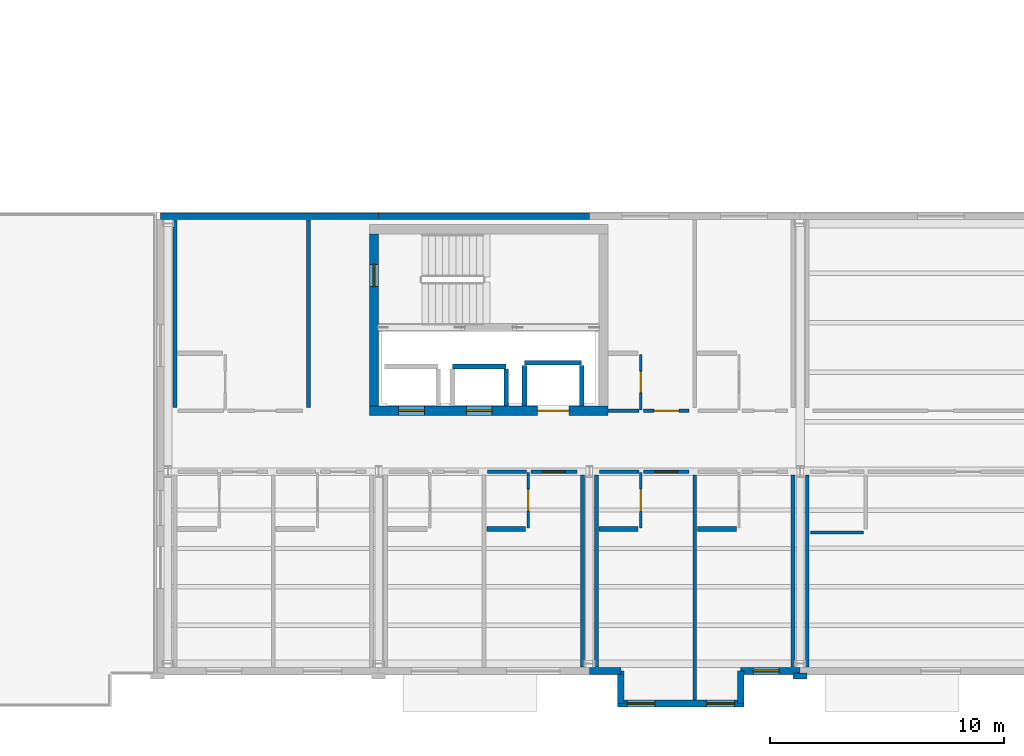
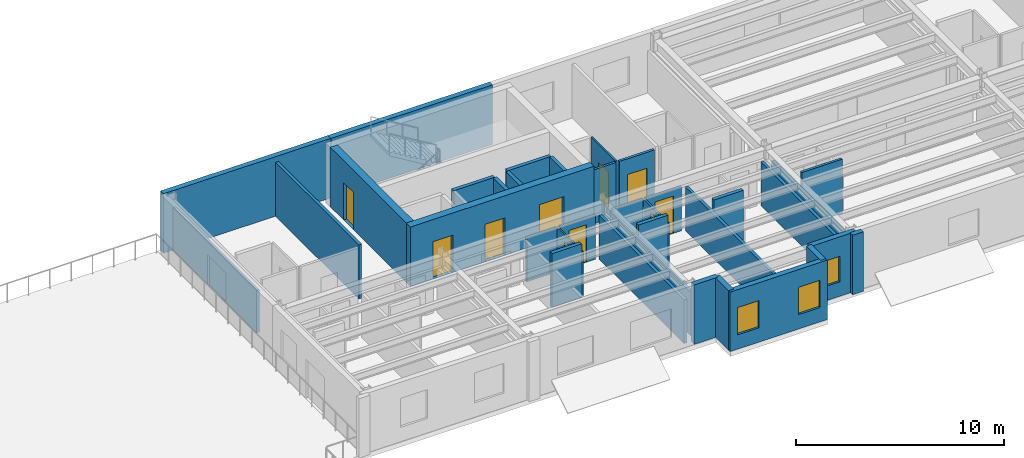
# One storey, part 6 of 17: 35 walls, 10 doors, 3 windows, 13 openings.
"""IFC4 building model written with IfcOpenShell, lengths in metres."""

from ifc_helpers import new_model, si_unit, direction, frame, frame_2d, origin, place, context, subcontext, project, spatial, rectangle, extrude, material, layer, layer_set, type_object, element, fill, save


model = new_model("IFC4")

# Units and contexts
model_context = context("Model", 3, precision=1e-05, world=origin(), true_north=direction((0.0, 1.0)))
body_context = subcontext(model_context, "Body", "Model", "MODEL_VIEW")
ifc_project = project(units=[si_unit("LENGTHUNIT", "METRE"), si_unit("AREAUNIT", "SQUARE_METRE"), si_unit("VOLUMEUNIT", "CUBIC_METRE"), si_unit("PLANEANGLEUNIT", "RADIAN"), si_unit("MASSUNIT", "GRAM", prefix="KILO")], contexts=[model_context])

# Site, building, storey
site_placement = place(None, origin())
site = spatial("IfcSite", under=ifc_project, at=site_placement, CompositionType="ELEMENT")
building_placement = place(site_placement, origin())
building = spatial("IfcBuilding", under=site, at=building_placement, Name="Sollismere Congress Hotel", CompositionType="ELEMENT")
storey_placement = place(building_placement, frame((0.0, 0.0, 41.10009765625)))
storey = spatial("IfcBuildingStorey", under=building, at=storey_placement, Name="L10", CompositionType="ELEMENT", Elevation=41.10009765625)

# Wall
ifc_material_1 = material(Name="Colorado Buff Sandstone Rainscreen on Insulated Backup", Category="masonry")
ifc_layer_1 = layer(ifc_material_1, 0.284912109375, Name="Colorado Buff Sandstone Rainscreen on Insulated Backup")
ifc_layer_set_1 = layer_set([ifc_layer_1], Name="Colorado Buff Sandstone Rainscreen on Insulated Backup")
wall_type_1 = type_object("IfcWallType", Name="WL-EXT285", PredefinedType="STANDARD", material=ifc_layer_set_1)
wall_1_placement = place(storey_placement, frame((103.0, -0.31005859375, 0.0), z_axis=(0.0, 0.0, 1.0), x_axis=(1.0, 0.0, 0.0)))
element("IfcWall", 1, at=wall_1_placement, inside=storey, type_object=wall_type_1, Name="Exterior wall EW-L10-945", PredefinedType="STANDARD", context=body_context, shape_type="SweptSolid", body=[
    extrude(rectangle(XDim=1.340087890625, YDim=0.284912109375, at=frame_2d((0.669921875, 0.0))), origin(), (0.0, 0.0, 1.0), 3.5),
])

# Wall, opening, window
wall_2_placement = place(storey_placement, frame((109.4599609375, -0.31005859375, 0.0), z_axis=(0.0, 0.0, 1.0), x_axis=(1.0, 0.0, 0.0)))
wall_2 = element("IfcWall", 2, at=wall_2_placement, inside=storey, type_object=wall_type_1, Name="Exterior wall EW-L10-946", PredefinedType="STANDARD", context=body_context, shape_type="SweptSolid", body=[
    extrude(rectangle(XDim=2.5400390625, YDim=0.284912109375, at=frame_2d((1.27001953125, 0.0))), origin(), (0.0, 0.0, 1.0), 3.5),
])
opening_1_placement = place(wall_2_placement, frame((0.544921875, 0.0, 0.85009765625)))
opening_1 = element("IfcOpeningElement", 3, at=opening_1_placement, cuts=wall_2, Name="Opening W-L10-678", PredefinedType="OPENING", context=body_context, shape_type="SweptSolid", body=[
    extrude(rectangle(XDim=1.10009765625, YDim=1.5, at=frame_2d((0.550048828125, 0.75))), frame((0.0, 0.15234375, 0.0), z_axis=(0.0, -1.0, 0.0), x_axis=(1.0, 0.0, 0.0)), (0.0, 0.0, 1.0), 0.304931640625),
])
ifc_material_2 = material(Name="Thermally Broken Bronze Aluminum & Low-E Glass", Category="aluminium")
window_type_1 = type_object("IfcWindowType", Name="WN-P110x150", PartitioningType="SINGLE_PANEL", PredefinedType="WINDOW", material=ifc_material_2)
window_1_placement = place(opening_1_placement, origin())
window_1 = element("IfcWindow", 4, at=window_1_placement, inside=storey, type_object=window_type_1, Name="WIN-W-L10-678", OverallHeight=1.5, OverallWidth=1.10009765625, PartitioningType="SINGLE_PANEL", PredefinedType="WINDOW", context=body_context, shape_type="SweptSolid", body=[
    extrude(rectangle(XDim=1.10009765625, YDim=1.5, at=frame_2d((0.550048828125, 0.75))), frame((0.0, 0.030029296875, 0.0), z_axis=(0.0, -1.0, 0.0), x_axis=(1.0, 0.0, 0.0)), (0.0, 0.0, 1.0), 0.06005859375),
])
fill(opening_1, window_1)

# Wall, openings, windows
wall_3_placement = place(storey_placement, frame((104.199951171875, -1.699951171875, 0.0), z_axis=(0.0, 0.0, 1.0), x_axis=(1.0, 0.0, 0.0)))
wall_3 = element("IfcWall", 5, at=wall_3_placement, inside=storey, type_object=wall_type_1, Name="Exterior wall EW-L10-947", PredefinedType="STANDARD", context=body_context, shape_type="SweptSolid", body=[
    extrude(rectangle(XDim=5.400146484375, YDim=0.284912109375, at=frame_2d((2.7001953125, 0.0))), origin(), (0.0, 0.0, 1.0), 3.5),
])
opening_2_placement = place(wall_3_placement, frame((0.39990234375, 0.0, 0.85009765625)))
opening_2 = element("IfcOpeningElement", 6, at=opening_2_placement, cuts=wall_3, Name="Opening W-L10-679", PredefinedType="OPENING", context=body_context, shape_type="SweptSolid", body=[
    extrude(rectangle(XDim=1.199951171875, YDim=1.60009765625, at=frame_2d((0.60009765625, 0.800048828125))), frame((0.0, 0.15234375, 0.0), z_axis=(0.0, -1.0, 0.0), x_axis=(1.0, 0.0, 0.0)), (0.0, 0.0, 1.0), 0.304931640625),
])
opening_3_placement = place(wall_3_placement, frame((3.800048828125, 0.0, 0.85009765625)))
opening_3 = element("IfcOpeningElement", 7, at=opening_3_placement, cuts=wall_3, Name="Opening W-L10-680", PredefinedType="OPENING", context=body_context, shape_type="SweptSolid", body=[
    extrude(rectangle(XDim=1.199951171875, YDim=1.60009765625, at=frame_2d((0.60009765625, 0.800048828125))), frame((0.0, 0.15234375, 0.0), z_axis=(0.0, -1.0, 0.0), x_axis=(1.0, 0.0, 0.0)), (0.0, 0.0, 1.0), 0.304931640625),
])
window_type_2 = type_object("IfcWindowType", Name="WN-P120x160", PartitioningType="SINGLE_PANEL", PredefinedType="WINDOW", material=ifc_material_2)
window_2_placement = place(opening_2_placement, origin())
window_2 = element("IfcWindow", 8, at=window_2_placement, inside=storey, type_object=window_type_2, Name="WIN-W-L10-679", OverallHeight=1.60009765625, OverallWidth=1.199951171875, PartitioningType="SINGLE_PANEL", PredefinedType="WINDOW", context=body_context, shape_type="SweptSolid", body=[
    extrude(rectangle(XDim=1.199951171875, YDim=1.60009765625, at=frame_2d((0.60009765625, 0.800048828125))), frame((0.0, 0.030029296875, 0.0), z_axis=(0.0, -1.0, 0.0), x_axis=(1.0, 0.0, 0.0)), (0.0, 0.0, 1.0), 0.06005859375),
])
fill(opening_2, window_2)
window_3_placement = place(opening_3_placement, origin())
window_3 = element("IfcWindow", 9, at=window_3_placement, inside=storey, type_object=window_type_2, Name="WIN-W-L10-680", OverallHeight=1.60009765625, OverallWidth=1.199951171875, PartitioningType="SINGLE_PANEL", PredefinedType="WINDOW", context=body_context, shape_type="SweptSolid", body=[
    extrude(rectangle(XDim=1.199951171875, YDim=1.60009765625, at=frame_2d((0.60009765625, 0.800048828125))), frame((0.0, 0.030029296875, 0.0), z_axis=(0.0, -1.0, 0.0), x_axis=(1.0, 0.0, 0.0)), (0.0, 0.0, 1.0), 0.06005859375),
])
fill(opening_3, window_3)

# Walls
for number, where, z_axis, x_axis, name in (
    (10, (104.340087890625, -0.31005859375, 0.0), (0.0, 0.0, 1.0), (0.0, -1.0, 0.0), "Exterior wall EW-L10-948"),
    (11, (109.4599609375, -1.699951171875, 0.0), (0.0, 0.0, 1.0), (0.0, 1.0, 0.0), "Exterior wall EW-L10-949"),
):
    element("IfcWall", number, at=place(storey_placement, frame(where, z_axis=z_axis, x_axis=x_axis)), inside=storey, type_object=wall_type_1, Name=name, PredefinedType="STANDARD", context=body_context, shape_type="SweptSolid", body=[
        extrude(rectangle(XDim=1.389892578125, YDim=0.284912109375, at=frame_2d((0.69482421875, 0.0))), origin(), (0.0, 0.0, 1.0), 3.5),
    ])
wall_4_placement = place(storey_placement, frame((94.0, 19.110107421875, 0.0), z_axis=(0.0, 0.0, 1.0), x_axis=(-1.0, 0.0, 0.0)))
element("IfcWall", 12, at=wall_4_placement, inside=storey, type_object=wall_type_1, Name="Exterior wall EW-L10-984", PredefinedType="STANDARD", context=body_context, shape_type="SweptSolid", body=[
    extrude(rectangle(XDim=9.31005859375, YDim=0.284912109375, at=frame_2d((4.655029296875, 0.0))), origin(), (0.0, 0.0, 1.0), 3.5),
])
wall_5_placement = place(storey_placement, frame((103.0, 19.110107421875, 0.0), z_axis=(0.0, 0.0, 1.0), x_axis=(-1.0, 0.0, 0.0)))
element("IfcWall", 13, at=wall_5_placement, inside=storey, type_object=wall_type_1, Name="Exterior wall EW-L10-985", PredefinedType="STANDARD", context=body_context, shape_type="SweptSolid", body=[
    extrude(rectangle(XDim=9.0, YDim=0.284912109375, at=frame_2d((4.5, 0.0))), origin(), (0.0, 0.0, 1.0), 3.5),
])
ifc_material_3 = material(Name="Carved Travertine Pilaster & Frieze Assembly", Category="masonry")
ifc_layer_2 = layer(ifc_material_3, 0.260009765625, Name="Carved Travertine Pilaster & Frieze Assembly")
ifc_layer_set_2 = layer_set([ifc_layer_2], Name="Carved Travertine Pilaster & Frieze Assembly")
wall_type_2 = type_object("IfcWallType", Name="WL-PIL280", PredefinedType="ELEMENTEDWALL", material=ifc_layer_set_2)
wall_6_placement = place(storey_placement, frame((111.699951171875, -0.52001953125, 0.0), z_axis=(0.0, 0.0, 1.0), x_axis=(1.0, 0.0, 0.0)))
element("IfcWall", 14, at=wall_6_placement, inside=storey, type_object=wall_type_2, Name="Exterior wall EW-L10-951", PredefinedType="ELEMENTEDWALL", context=body_context, shape_type="SweptSolid", body=[
    extrude(rectangle(XDim=0.60009765625, YDim=0.260009765625, at=frame_2d((0.300048828125, 0.0))), origin(), (0.0, 0.0, 1.0), 3.5),
])
ifc_material_4 = material(Name="Moisture-Resistant Shaft Gypsum Assembly")
ifc_layer_3 = layer(ifc_material_4, 0.199951171875, Name="Moisture-Resistant Shaft Gypsum Assembly")
ifc_layer_set_3 = layer_set([ifc_layer_3], Name="Moisture-Resistant Shaft Gypsum Assembly")
wall_type_3 = type_object("IfcWallType", Name="WL-PLM200", PredefinedType="PLUMBINGWALL", material=ifc_layer_set_3)
wall_7_placement = place(storey_placement, frame((97.155029296875, 12.68994140625, 0.0), z_axis=(0.0, 0.0, 1.0), x_axis=(1.0, 0.0, 0.0)))
element("IfcWall", 15, at=wall_7_placement, inside=storey, type_object=wall_type_3, Name="Interior wall IW-L10-0359", PredefinedType="PLUMBINGWALL", context=body_context, shape_type="SweptSolid", body=[
    extrude(rectangle(XDim=2.2900390625, YDim=0.199951171875, at=frame_2d((1.14501953125, 0.0))), origin(), (0.0, 0.0, 1.0), 3.179931640625),
])
wall_8_placement = place(storey_placement, frame((99.445068359375, 11.011962890625, 0.0), z_axis=(0.0, 0.0, 1.0), x_axis=(0.0, 1.0, 0.0)))
element("IfcWall", 16, at=wall_8_placement, inside=storey, type_object=wall_type_3, Name="Interior wall IW-L10-0361", PredefinedType="PLUMBINGWALL", context=body_context, shape_type="SweptSolid", body=[
    extrude(rectangle(XDim=1.56591796875, YDim=0.199951171875, at=frame_2d((0.782958984375, 0.0))), origin(), (0.0, 0.0, 1.0), 3.179931640625),
])
wall_9_placement = place(storey_placement, frame((100.22998046875, 12.844970703125, 0.0), z_axis=(0.0, 0.0, 1.0), x_axis=(1.0, 0.0, 0.0)))
element("IfcWall", 17, at=wall_9_placement, inside=storey, type_object=wall_type_3, Name="Interior wall IW-L10-0362", PredefinedType="PLUMBINGWALL", context=body_context, shape_type="SweptSolid", body=[
    extrude(rectangle(XDim=2.43994140625, YDim=0.199951171875, at=frame_2d((1.219970703125, 0.0))), origin(), (0.0, 0.0, 1.0), 3.179931640625),
])
for number, where, z_axis, x_axis, name in (
    (18, (100.22998046875, 11.011962890625, 0.0), (0.0, 0.0, 1.0), (0.0, 1.0, 0.0), "Interior wall IW-L10-0363"),
    (19, (102.669921875, 11.011962890625, 0.0), (0.0, 0.0, 1.0), (0.0, 1.0, 0.0), "Interior wall IW-L10-0364"),
):
    element("IfcWall", number, at=place(storey_placement, frame(where, z_axis=z_axis, x_axis=x_axis)), inside=storey, type_object=wall_type_3, Name=name, PredefinedType="PLUMBINGWALL", context=body_context, shape_type="SweptSolid", body=[
        extrude(rectangle(XDim=1.720947265625, YDim=0.199951171875, at=frame_2d((0.8603515625, 0.0))), origin(), (0.0, 0.0, 1.0), 3.179931640625),
    ])
wall_10_placement = place(storey_placement, frame((98.6201171875, 5.75, 0.0), z_axis=(0.0, 0.0, 1.0), x_axis=(1.0, 0.0, 0.0)))
element("IfcWall", 20, at=wall_10_placement, inside=storey, type_object=wall_type_3, Name="Interior wall IW-L10-2756", PredefinedType="PLUMBINGWALL", context=body_context, shape_type="SweptSolid", body=[
    extrude(rectangle(XDim=1.64990234375, YDim=0.199951171875, at=frame_2d((0.824951171875, 0.0))), origin(), (0.0, 0.0, 1.0), 3.179931640625),
])
wall_11_placement = place(storey_placement, frame((103.419921875, 5.75, 0.0), z_axis=(0.0, 0.0, 1.0), x_axis=(1.0, 0.0, 0.0)))
element("IfcWall", 21, at=wall_11_placement, inside=storey, type_object=wall_type_3, Name="Interior wall IW-L10-2762", PredefinedType="PLUMBINGWALL", context=body_context, shape_type="SweptSolid", body=[
    extrude(rectangle(XDim=1.650146484375, YDim=0.199951171875, at=frame_2d((0.8251953125, 0.0))), origin(), (0.0, 0.0, 1.0), 3.179931640625),
])
wall_12_placement = place(storey_placement, frame((107.6201171875, 5.75, 0.0), z_axis=(0.0, 0.0, 1.0), x_axis=(1.0, 0.0, 0.0)))
element("IfcWall", 22, at=wall_12_placement, inside=storey, type_object=wall_type_3, Name="Interior wall IW-L10-2767", PredefinedType="PLUMBINGWALL", context=body_context, shape_type="SweptSolid", body=[
    extrude(rectangle(XDim=1.64990234375, YDim=0.199951171875, at=frame_2d((0.824951171875, 0.0))), origin(), (0.0, 0.0, 1.0), 3.179931640625),
])

# Wall, opening, door
ifc_material_5 = material(Name="Moisture-Resistant Gypsum Partition")
ifc_layer_4 = layer(ifc_material_5, 0.10009765625, Name="Moisture-Resistant Gypsum Partition")
ifc_layer_set_4 = layer_set([ifc_layer_4], Name="Moisture-Resistant Gypsum Partition")
wall_type_4 = type_object("IfcWallType", Name="WL-PRT100", PredefinedType="PARTITIONING", material=ifc_layer_set_4)
wall_13_placement = place(storey_placement, frame((100.389892578125, 5.7900390625, 0.0), z_axis=(0.0, 0.0, 1.0), x_axis=(0.0, 1.0, 0.0)))
wall_13 = element("IfcWall", 23, at=wall_13_placement, inside=storey, type_object=wall_type_4, Name="Interior wall IW-L10-2755", PredefinedType="PARTITIONING", context=body_context, shape_type="SweptSolid", body=[
    extrude(rectangle(XDim=2.369873046875, YDim=0.10009765625, at=frame_2d((1.18505859375, 0.0))), origin(), (0.0, 0.0, 1.0), 2.593017578125),
])
opening_4_placement = place(wall_13_placement, frame((0.719970703125, 0.0, 0.0)))
opening_4 = element("IfcOpeningElement", 24, at=opening_4_placement, cuts=wall_13, Name="Opening D-L10-0973", PredefinedType="OPENING", context=body_context, shape_type="SweptSolid", body=[
    extrude(rectangle(XDim=0.929931640625, YDim=2.219970703125, at=frame_2d((0.46484375, 1.10986328125))), frame((0.0, 0.06005859375, 0.0), z_axis=(0.0, -1.0, 0.0), x_axis=(1.0, 0.0, 0.0)), (0.0, 0.0, 1.0), 0.1201171875),
])
ifc_material_6 = material(Name="Moisture-Sealed Timber Bathroom Door", Category="wood")
door_type_1 = type_object("IfcDoorType", Name="DR-BT07", OperationType="NOTDEFINED", PredefinedType="DOOR", material=ifc_material_6)
door_1_placement = place(opening_4_placement, origin())
door_1 = element("IfcDoor", 25, at=door_1_placement, inside=storey, type_object=door_type_1, Name="En-suite bathroom door D-L10-0973", OperationType="SINGLE_SWING_RIGHT", OverallHeight=2.219970703125, OverallWidth=0.929931640625, PredefinedType="DOOR", context=body_context, shape_type="SweptSolid", body=[
    extrude(rectangle(XDim=0.929931640625, YDim=2.219970703125, at=frame_2d((0.46484375, 1.10986328125))), frame((0.0, 0.02490234375, 0.0), z_axis=(0.0, -1.0, 0.0), x_axis=(1.0, 0.0, 0.0)), (0.0, 0.0, 1.0), 0.050048828125),
])
fill(opening_4, door_1)

wall_14_placement = place(storey_placement, frame((105.18994140625, 5.7900390625, 0.0), z_axis=(0.0, 0.0, 1.0), x_axis=(0.0, 1.0, 0.0)))
wall_14 = element("IfcWall", 26, at=wall_14_placement, inside=storey, type_object=wall_type_4, Name="Interior wall IW-L10-2761", PredefinedType="PARTITIONING", context=body_context, shape_type="SweptSolid", body=[
    extrude(rectangle(XDim=2.369873046875, YDim=0.10009765625, at=frame_2d((1.18505859375, 0.0))), origin(), (0.0, 0.0, 1.0), 2.593017578125),
])
opening_5_placement = place(wall_14_placement, frame((0.7080078125, 0.0, 0.0)))
opening_5 = element("IfcOpeningElement", 27, at=opening_5_placement, cuts=wall_14, Name="Opening D-L10-0975", PredefinedType="OPENING", context=body_context, shape_type="SweptSolid", body=[
    extrude(rectangle(XDim=0.955078125, YDim=2.219970703125, at=frame_2d((0.4775390625, 1.10986328125))), frame((0.0, 0.06005859375, 0.0), z_axis=(0.0, -1.0, 0.0), x_axis=(1.0, 0.0, 0.0)), (0.0, 0.0, 1.0), 0.1201171875),
])
door_type_2 = type_object("IfcDoorType", Name="DR-BT08", OperationType="NOTDEFINED", PredefinedType="DOOR", material=ifc_material_6)
door_2_placement = place(opening_5_placement, origin())
door_2 = element("IfcDoor", 28, at=door_2_placement, inside=storey, type_object=door_type_2, Name="En-suite bathroom door D-L10-0975", OperationType="SINGLE_SWING_RIGHT", OverallHeight=2.219970703125, OverallWidth=0.955078125, PredefinedType="DOOR", context=body_context, shape_type="SweptSolid", body=[
    extrude(rectangle(XDim=0.955078125, YDim=2.219970703125, at=frame_2d((0.4775390625, 1.10986328125))), frame((0.0, 0.02490234375, 0.0), z_axis=(0.0, -1.0, 0.0), x_axis=(1.0, 0.0, 0.0)), (0.0, 0.0, 1.0), 0.050048828125),
])
fill(opening_5, door_2)

wall_15_placement = place(storey_placement, frame((105.18994140625, 10.840087890625, 0.0), z_axis=(0.0, 0.0, 1.0), x_axis=(0.0, 1.0, 0.0)))
wall_15 = element("IfcWall", 29, at=wall_15_placement, inside=storey, type_object=wall_type_4, Name="Interior wall IW-L10-2771", PredefinedType="PARTITIONING", context=body_context, shape_type="SweptSolid", body=[
    extrude(rectangle(XDim=2.369873046875, YDim=0.10009765625, at=frame_2d((1.18505859375, 0.0))), origin(), (0.0, 0.0, 1.0), 3.179931640625),
])
opening_6_placement = place(wall_15_placement, frame((0.73291015625, 0.0, 0.0)))
opening_6 = element("IfcOpeningElement", 30, at=opening_6_placement, cuts=wall_15, Name="Opening D-L10-0979", PredefinedType="OPENING", context=body_context, shape_type="SweptSolid", body=[
    extrude(rectangle(XDim=0.905029296875, YDim=2.10009765625, at=frame_2d((0.45263671875, 1.050048828125))), frame((0.0, 0.06005859375, 0.0), z_axis=(0.0, -1.0, 0.0), x_axis=(1.0, 0.0, 0.0)), (0.0, 0.0, 1.0), 0.1201171875),
])
door_type_3 = type_object("IfcDoorType", Name="DR-BT02", OperationType="NOTDEFINED", PredefinedType="DOOR", material=ifc_material_6)
door_3_placement = place(opening_6_placement, origin())
door_3 = element("IfcDoor", 31, at=door_3_placement, inside=storey, type_object=door_type_3, Name="En-suite bathroom door D-L10-0979", OperationType="SINGLE_SWING_RIGHT", OverallHeight=2.10009765625, OverallWidth=0.905029296875, PredefinedType="DOOR", context=body_context, shape_type="SweptSolid", body=[
    extrude(rectangle(XDim=0.905029296875, YDim=2.10009765625, at=frame_2d((0.45263671875, 1.050048828125))), frame((0.0, 0.02490234375, 0.0), z_axis=(0.0, -1.0, 0.0), x_axis=(1.0, 0.0, 0.0)), (0.0, 0.0, 1.0), 0.050048828125),
])
fill(opening_6, door_3)

# Wall
ifc_material_7 = material(Name="Fire-Rated Gypsum Partition")
ifc_layer_5 = layer(ifc_material_7, 0.139892578125, Name="Fire-Rated Gypsum Partition")
ifc_layer_set_5 = layer_set([ifc_layer_5], Name="Fire-Rated Gypsum Partition")
wall_type_5 = type_object("IfcWallType", Name="WL-PRT140R", PredefinedType="PARTITIONING", material=ifc_layer_set_5)
wall_16_placement = place(storey_placement, frame((98.639892578125, 8.199951171875, 0.0), z_axis=(0.0, 0.0, 1.0), x_axis=(1.0, 0.0, 0.0)))
element("IfcWall", 32, at=wall_16_placement, inside=storey, type_object=wall_type_5, Name="Interior wall IW-L10-2752", PredefinedType="PARTITIONING", context=body_context, shape_type="SweptSolid", body=[
    extrude(rectangle(XDim=1.670166015625, YDim=0.139892578125, at=frame_2d((0.8349609375, 0.0))), origin(), (0.0, 0.0, 1.0), 2.593017578125),
])

# Wall, opening, door
wall_17_placement = place(storey_placement, frame((100.510009765625, 8.199951171875, 0.0), z_axis=(0.0, 0.0, 1.0), x_axis=(1.0, 0.0, 0.0)))
wall_17 = element("IfcWall", 33, at=wall_17_placement, inside=storey, type_object=wall_type_5, Name="Interior wall IW-L10-2753", PredefinedType="PARTITIONING", context=body_context, shape_type="SweptSolid", body=[
    extrude(rectangle(XDim=1.949951171875, YDim=0.139892578125, at=frame_2d((0.97509765625, 0.0))), origin(), (0.0, 0.0, 1.0), 2.593017578125),
])
opening_7_placement = place(wall_17_placement, frame((0.485107421875, 0.0, 0.0)))
opening_7 = element("IfcOpeningElement", 34, at=opening_7_placement, cuts=wall_17, Name="Opening D-L10-0972", PredefinedType="OPENING", context=body_context, shape_type="SweptSolid", body=[
    extrude(rectangle(XDim=0.97998046875, YDim=2.199951171875, at=frame_2d((0.489990234375, 1.10009765625))), frame((0.0, 0.079833984375, 0.0), z_axis=(0.0, -1.0, 0.0), x_axis=(1.0, 0.0, 0.0)), (0.0, 0.0, 1.0), 0.159912109375),
])
ifc_material_8 = material(Name="Solid-Core Acoustic Walnut Guestroom Entry Door")
door_type_4 = type_object("IfcDoorType", Name="DR-KY03", OperationType="NOTDEFINED", PredefinedType="DOOR", material=ifc_material_8)
door_4_placement = place(opening_7_placement, origin())
door_4 = element("IfcDoor", 35, at=door_4_placement, inside=storey, type_object=door_type_4, Name="Hotel room entry door D-L10-0972", OperationType="SINGLE_SWING_LEFT", OverallHeight=2.199951171875, OverallWidth=0.97998046875, PredefinedType="DOOR", context=body_context, shape_type="SweptSolid", body=[
    extrude(rectangle(XDim=0.97998046875, YDim=2.199951171875, at=frame_2d((0.489990234375, 1.10009765625))), frame((0.0, 0.02490234375, 0.0), z_axis=(0.0, -1.0, 0.0), x_axis=(1.0, 0.0, 0.0)), (0.0, 0.0, 1.0), 0.050048828125),
])
fill(opening_7, door_4)

# Wall
wall_18_placement = place(storey_placement, frame((103.43994140625, 8.199951171875, 0.0), z_axis=(0.0, 0.0, 1.0), x_axis=(1.0, 0.0, 0.0)))
element("IfcWall", 36, at=wall_18_placement, inside=storey, type_object=wall_type_5, Name="Interior wall IW-L10-2757", PredefinedType="PARTITIONING", context=body_context, shape_type="SweptSolid", body=[
    extrude(rectangle(XDim=1.670166015625, YDim=0.139892578125, at=frame_2d((0.8349609375, 0.0))), origin(), (0.0, 0.0, 1.0), 2.593017578125),
])

# Wall, opening, door
wall_19_placement = place(storey_placement, frame((105.31005859375, 8.199951171875, 0.0), z_axis=(0.0, 0.0, 1.0), x_axis=(1.0, 0.0, 0.0)))
wall_19 = element("IfcWall", 37, at=wall_19_placement, inside=storey, type_object=wall_type_5, Name="Interior wall IW-L10-2758", PredefinedType="PARTITIONING", context=body_context, shape_type="SweptSolid", body=[
    extrude(rectangle(XDim=1.949951171875, YDim=0.139892578125, at=frame_2d((0.97509765625, 0.0))), origin(), (0.0, 0.0, 1.0), 2.593017578125),
])
opening_8_placement = place(wall_19_placement, frame((0.469970703125, 0.0, 0.0)))
opening_8 = element("IfcOpeningElement", 38, at=opening_8_placement, cuts=wall_19, Name="Opening D-L10-0974", PredefinedType="OPENING", context=body_context, shape_type="SweptSolid", body=[
    extrude(rectangle(XDim=1.010009765625, YDim=2.199951171875, at=frame_2d((0.5048828125, 1.10009765625))), frame((0.0, 0.079833984375, 0.0), z_axis=(0.0, -1.0, 0.0), x_axis=(1.0, 0.0, 0.0)), (0.0, 0.0, 1.0), 0.159912109375),
])
door_type_5 = type_object("IfcDoorType", Name="DR-KY04", OperationType="NOTDEFINED", PredefinedType="DOOR", material=ifc_material_8)
door_5_placement = place(opening_8_placement, origin())
door_5 = element("IfcDoor", 39, at=door_5_placement, inside=storey, type_object=door_type_5, Name="Hotel room entry door D-L10-0974", OperationType="SINGLE_SWING_LEFT", OverallHeight=2.199951171875, OverallWidth=1.010009765625, PredefinedType="DOOR", context=body_context, shape_type="SweptSolid", body=[
    extrude(rectangle(XDim=1.010009765625, YDim=2.199951171875, at=frame_2d((0.5048828125, 1.10009765625))), frame((0.0, 0.02490234375, 0.0), z_axis=(0.0, -1.0, 0.0), x_axis=(1.0, 0.0, 0.0)), (0.0, 0.0, 1.0), 0.050048828125),
])
fill(opening_8, door_5)

# Wall
wall_20_placement = place(storey_placement, frame((103.800048828125, 10.800048828125, 0.0), z_axis=(0.0, 0.0, 1.0), x_axis=(1.0, 0.0, 0.0)))
element("IfcWall", 40, at=wall_20_placement, inside=storey, type_object=wall_type_5, Name="Interior wall IW-L10-2768", PredefinedType="PARTITIONING", context=body_context, shape_type="SweptSolid", body=[
    extrude(rectangle(XDim=1.31005859375, YDim=0.139892578125, at=frame_2d((0.655029296875, 0.0))), origin(), (0.0, 0.0, 1.0), 3.179931640625),
])

# Wall, opening, door
wall_21_placement = place(storey_placement, frame((105.31005859375, 10.800048828125, 0.0), z_axis=(0.0, 0.0, 1.0), x_axis=(1.0, 0.0, 0.0)))
wall_21 = element("IfcWall", 41, at=wall_21_placement, inside=storey, type_object=wall_type_5, Name="Interior wall IW-L10-2769", PredefinedType="PARTITIONING", context=body_context, shape_type="SweptSolid", body=[
    extrude(rectangle(XDim=1.949951171875, YDim=0.139892578125, at=frame_2d((0.97509765625, 0.0))), origin(), (0.0, 0.0, 1.0), 3.179931640625),
])
opening_9_placement = place(wall_21_placement, frame((0.43994140625, 0.0, 0.0)))
opening_9 = element("IfcOpeningElement", 42, at=opening_9_placement, cuts=wall_21, Name="Opening D-L10-0978", PredefinedType="OPENING", context=body_context, shape_type="SweptSolid", body=[
    extrude(rectangle(XDim=1.070068359375, YDim=2.25, at=frame_2d((0.53515625, 1.125))), frame((0.0, 0.079833984375, 0.0), z_axis=(0.0, -1.0, 0.0), x_axis=(1.0, 0.0, 0.0)), (0.0, 0.0, 1.0), 0.159912109375),
])
door_type_6 = type_object("IfcDoorType", Name="DR-KY06", OperationType="NOTDEFINED", PredefinedType="DOOR", material=ifc_material_8)
door_6_placement = place(opening_9_placement, origin())
door_6 = element("IfcDoor", 43, at=door_6_placement, inside=storey, type_object=door_type_6, Name="Hotel room entry door D-L10-0978", OperationType="SINGLE_SWING_LEFT", OverallHeight=2.25, OverallWidth=1.070068359375, PredefinedType="DOOR", context=body_context, shape_type="SweptSolid", body=[
    extrude(rectangle(XDim=1.070068359375, YDim=2.25, at=frame_2d((0.53515625, 1.125))), frame((0.0, 0.02490234375, 0.0), z_axis=(0.0, -1.0, 0.0), x_axis=(1.0, 0.0, 0.0)), (0.0, 0.0, 1.0), 0.050048828125),
])
fill(opening_9, door_6)

# Walls
wall_22_placement = place(storey_placement, frame((112.43994140625, 5.60009765625, 0.0), z_axis=(0.0, 0.0, 1.0), x_axis=(1.0, 0.0, 0.0)))
element("IfcWall", 44, at=wall_22_placement, inside=storey, type_object=wall_type_5, Name="Interior wall IW-L10-2864", PredefinedType="PARTITIONING", context=body_context, shape_type="SweptSolid", body=[
    extrude(rectangle(XDim=2.260009765625, YDim=0.139892578125, at=frame_2d((1.1298828125, 0.0))), origin(), (0.0, 0.0, 1.0), 3.179931640625),
])
ifc_material_9 = material(Name="Fire-Rated Acoustic Gypsum Partition")
ifc_layer_6 = layer(ifc_material_9, 0.1650390625, Name="Fire-Rated Acoustic Gypsum Partition")
ifc_layer_set_6 = layer_set([ifc_layer_6], Name="Fire-Rated Acoustic Gypsum Partition")
wall_type_6 = type_object("IfcWallType", Name="WL-PRT165R", PredefinedType="PARTITIONING", material=ifc_layer_set_6)
wall_23_placement = place(storey_placement, frame((85.300048828125, 10.93994140625, 0.0), z_axis=(0.0, 0.0, 1.0), x_axis=(0.0, 1.0, 0.0)))
element("IfcWall", 45, at=wall_23_placement, inside=storey, type_object=wall_type_6, Name="Interior wall IW-L10-2742", PredefinedType="PARTITIONING", context=body_context, shape_type="SweptSolid", body=[
    extrude(rectangle(XDim=8.012451171875, YDim=0.1650390625, at=frame_2d((4.00634765625, 0.0))), origin(), (0.0, 0.0, 1.0), 2.5087890625),
])
wall_24_placement = place(storey_placement, frame((91.0, 10.93994140625, 0.0), z_axis=(0.0, 0.0, 1.0), x_axis=(0.0, 1.0, 0.0)))
element("IfcWall", 46, at=wall_24_placement, inside=storey, type_object=wall_type_6, Name="Interior wall IW-L10-2743", PredefinedType="PARTITIONING", context=body_context, shape_type="SweptSolid", body=[
    extrude(rectangle(XDim=8.012451171875, YDim=0.1650390625, at=frame_2d((4.00634765625, 0.0))), origin(), (0.0, 0.0, 1.0), 3.179931640625),
])
for number, where, z_axis, x_axis, name in (
    (47, (102.699951171875, -0.152587890625, 0.0), (0.0, 0.0, 1.0), (0.0, 1.0, 0.0), "Interior wall IW-L10-2754"),
    (48, (103.300048828125, -0.152587890625, 0.0), (0.0, 0.0, 1.0), (0.0, 1.0, 0.0), "Interior wall IW-L10-2759"),
):
    element("IfcWall", number, at=place(storey_placement, frame(where, z_axis=z_axis, x_axis=x_axis)), inside=storey, type_object=wall_type_6, Name=name, PredefinedType="PARTITIONING", context=body_context, shape_type="SweptSolid", body=[
        extrude(rectangle(XDim=8.212646484375, YDim=0.1650390625, at=frame_2d((4.1064453125, 0.0))), origin(), (0.0, 0.0, 1.0), 2.56982421875),
    ])
wall_25_placement = place(storey_placement, frame((107.5, -1.54248046875, 0.0), z_axis=(0.0, 0.0, 1.0), x_axis=(0.0, 1.0, 0.0)))
element("IfcWall", 49, at=wall_25_placement, inside=storey, type_object=wall_type_6, Name="Interior wall IW-L10-2760", PredefinedType="PARTITIONING", context=body_context, shape_type="SweptSolid", body=[
    extrude(rectangle(XDim=9.6025390625, YDim=0.1650390625, at=frame_2d((4.80126953125, 0.0))), origin(), (0.0, 0.0, 1.0), 2.56982421875),
])
wall_26_placement = place(storey_placement, frame((111.699951171875, -0.152587890625, 0.0), z_axis=(0.0, 0.0, 1.0), x_axis=(0.0, 1.0, 0.0)))
element("IfcWall", 50, at=wall_26_placement, inside=storey, type_object=wall_type_6, Name="Interior wall IW-L10-2765", PredefinedType="PARTITIONING", context=body_context, shape_type="SweptSolid", body=[
    extrude(rectangle(XDim=8.212646484375, YDim=0.1650390625, at=frame_2d((4.1064453125, 0.0))), origin(), (0.0, 0.0, 1.0), 2.56982421875),
])
wall_27_placement = place(storey_placement, frame((112.300048828125, -0.152587890625, 0.0), z_axis=(0.0, 0.0, 1.0), x_axis=(0.0, 1.0, 0.0)))
element("IfcWall", 51, at=wall_27_placement, inside=storey, type_object=wall_type_6, Name="Interior wall IW-L10-2866", PredefinedType="PARTITIONING", context=body_context, shape_type="SweptSolid", body=[
    extrude(rectangle(XDim=8.212646484375, YDim=0.1650390625, at=frame_2d((4.1064453125, 0.0))), origin(), (0.0, 0.0, 1.0), 2.41796875),
])

# Wall, openings, doors
ifc_material_10 = material(Name="Concrete C50/60", Category="concrete")
ifc_layer_7 = layer(ifc_material_10, 0.39990234375, Name="Concrete C50/60")
ifc_layer_set_7 = layer_set([ifc_layer_7], Name="Concrete C50/60")
wall_type_7 = type_object("IfcWallType", Name="WL-SHR400", PredefinedType="SHEAR", material=ifc_layer_set_7)
wall_28_placement = place(storey_placement, frame((93.60009765625, 10.800048828125, 0.0), z_axis=(0.0, 0.0, 1.0), x_axis=(1.0, 0.0, 0.0)))
wall_28 = element("IfcWall", 52, at=wall_28_placement, inside=storey, type_object=wall_type_7, Name="Interior wall IW-L10-0352", PredefinedType="SHEAR", context=body_context, shape_type="SweptSolid", body=[
    extrude(rectangle(XDim=10.199951171875, YDim=0.39990234375, at=frame_2d((5.10009765625, 0.0))), origin(), (0.0, 0.0, 1.0), 3.5),
])
opening_10_placement = place(wall_28_placement, frame((1.25, 0.0, 0.0)))
opening_10 = element("IfcOpeningElement", 53, at=opening_10_placement, cuts=wall_28, Name="Opening LD-LP-03-L10", PredefinedType="OPENING", context=body_context, shape_type="SweptSolid", body=[
    extrude(rectangle(XDim=1.10009765625, YDim=2.199951171875, at=frame_2d((0.550048828125, 1.10009765625))), frame((0.0, 0.2099609375, 0.0), z_axis=(0.0, -1.0, 0.0), x_axis=(1.0, 0.0, 0.0)), (0.0, 0.0, 1.0), 0.419921875),
])
opening_11_placement = place(wall_28_placement, frame((4.14990234375, 0.0, 0.0)))
opening_11 = element("IfcOpeningElement", 54, at=opening_11_placement, cuts=wall_28, Name="Opening LD-LP-04-L10", PredefinedType="OPENING", context=body_context, shape_type="SweptSolid", body=[
    extrude(rectangle(XDim=1.10009765625, YDim=2.199951171875, at=frame_2d((0.550048828125, 1.10009765625))), frame((0.0, 0.2099609375, 0.0), z_axis=(0.0, -1.0, 0.0), x_axis=(1.0, 0.0, 0.0)), (0.0, 0.0, 1.0), 0.419921875),
])
opening_12_placement = place(wall_28_placement, frame((7.175048828125, 0.0, 0.0)))
opening_12 = element("IfcOpeningElement", 55, at=opening_12_placement, cuts=wall_28, Name="Opening LD-LS-01-L10", PredefinedType="OPENING", context=body_context, shape_type="SweptSolid", body=[
    extrude(rectangle(XDim=1.35009765625, YDim=2.300048828125, at=frame_2d((0.675048828125, 1.14990234375))), frame((0.0, 0.2099609375, 0.0), z_axis=(0.0, -1.0, 0.0), x_axis=(1.0, 0.0, 0.0)), (0.0, 0.0, 1.0), 0.419921875),
])
ifc_material_11 = material(Name="Brushed Bronze Sliding Elevator Landing Door")
door_type_7 = type_object("IfcDoorType", Name="DR-LD110", OperationType="NOTDEFINED", PredefinedType="DOOR", material=ifc_material_11)
door_7_placement = place(opening_10_placement, origin())
door_7 = element("IfcDoor", 56, at=door_7_placement, inside=storey, type_object=door_type_7, Name="Elevator landing door LD-LP-03-L10", OperationType="SLIDING_TO_LEFT", OverallHeight=2.199951171875, OverallWidth=1.10009765625, PredefinedType="DOOR", context=body_context, shape_type="SweptSolid", body=[
    extrude(rectangle(XDim=1.10009765625, YDim=2.199951171875, at=frame_2d((0.550048828125, 1.10009765625))), frame((0.0, 0.02490234375, 0.0), z_axis=(0.0, -1.0, 0.0), x_axis=(1.0, 0.0, 0.0)), (0.0, 0.0, 1.0), 0.050048828125),
])
fill(opening_10, door_7)
door_8_placement = place(opening_11_placement, origin())
door_8 = element("IfcDoor", 57, at=door_8_placement, inside=storey, type_object=door_type_7, Name="Elevator landing door LD-LP-04-L10", OperationType="SLIDING_TO_RIGHT", OverallHeight=2.199951171875, OverallWidth=1.10009765625, PredefinedType="DOOR", context=body_context, shape_type="SweptSolid", body=[
    extrude(rectangle(XDim=1.10009765625, YDim=2.199951171875, at=frame_2d((0.550048828125, 1.10009765625))), frame((0.0, 0.02490234375, 0.0), z_axis=(0.0, -1.0, 0.0), x_axis=(1.0, 0.0, 0.0)), (0.0, 0.0, 1.0), 0.050048828125),
])
fill(opening_11, door_8)
ifc_material_12 = material(Name="Heavy-Duty Stainless Sliding Service Landing Door")
door_type_8 = type_object("IfcDoorType", Name="DR-LD135", OperationType="NOTDEFINED", PredefinedType="DOOR", material=ifc_material_12)
door_9_placement = place(opening_12_placement, origin())
door_9 = element("IfcDoor", 58, at=door_9_placement, inside=storey, type_object=door_type_8, Name="Elevator landing door LD-LS-01-L10", OperationType="SLIDING_TO_LEFT", OverallHeight=2.300048828125, OverallWidth=1.35009765625, PredefinedType="DOOR", context=body_context, shape_type="SweptSolid", body=[
    extrude(rectangle(XDim=1.35009765625, YDim=2.300048828125, at=frame_2d((0.675048828125, 1.14990234375))), frame((0.0, 0.02490234375, 0.0), z_axis=(0.0, -1.0, 0.0), x_axis=(1.0, 0.0, 0.0)), (0.0, 0.0, 1.0), 0.050048828125),
])
fill(opening_12, door_9)

# Wall, opening, door
wall_29_placement = place(storey_placement, frame((93.800048828125, 18.35009765625, 0.0), z_axis=(0.0, 0.0, 1.0), x_axis=(0.0, -1.0, 0.0)))
wall_29 = element("IfcWall", 59, at=wall_29_placement, inside=storey, type_object=wall_type_7, Name="Interior wall IW-L10-0354", PredefinedType="SHEAR", context=body_context, shape_type="SweptSolid", body=[
    extrude(rectangle(XDim=7.35009765625, YDim=0.39990234375, at=frame_2d((3.675048828125, 0.0))), origin(), (0.0, 0.0, 1.0), 3.5),
])
opening_13_placement = place(wall_29_placement, frame((1.300048828125, 0.0, 0.0)))
opening_13 = element("IfcOpeningElement", 60, at=opening_13_placement, cuts=wall_29, Name="Opening D-ST-02-L10", PredefinedType="OPENING", context=body_context, shape_type="SweptSolid", body=[
    extrude(rectangle(XDim=0.949951171875, YDim=2.199951171875, at=frame_2d((0.47509765625, 1.10009765625))), frame((0.0, 0.2099609375, 0.0), z_axis=(0.0, -1.0, 0.0), x_axis=(1.0, 0.0, 0.0)), (0.0, 0.0, 1.0), 0.419921875),
])
ifc_material_13 = material(Name="Fire-Rated Insulated Steel Door", Category="steel")
door_type_9 = type_object("IfcDoorType", Name="DR-FD90", OperationType="NOTDEFINED", PredefinedType="DOOR", material=ifc_material_13)
door_10_placement = place(opening_13_placement, origin())
door_10 = element("IfcDoor", 61, at=door_10_placement, inside=storey, type_object=door_type_9, Name="Exit stair fire door D-ST-02-L10", OperationType="SINGLE_SWING_LEFT", OverallHeight=2.199951171875, OverallWidth=0.949951171875, PredefinedType="DOOR", context=body_context, shape_type="SweptSolid", body=[
    extrude(rectangle(XDim=0.949951171875, YDim=2.199951171875, at=frame_2d((0.47509765625, 1.10009765625))), frame((0.0, 0.02490234375, 0.0), z_axis=(0.0, -1.0, 0.0), x_axis=(1.0, 0.0, 0.0)), (0.0, 0.0, 1.0), 0.050048828125),
])
fill(opening_13, door_10)

save(model, "model.ifc")
